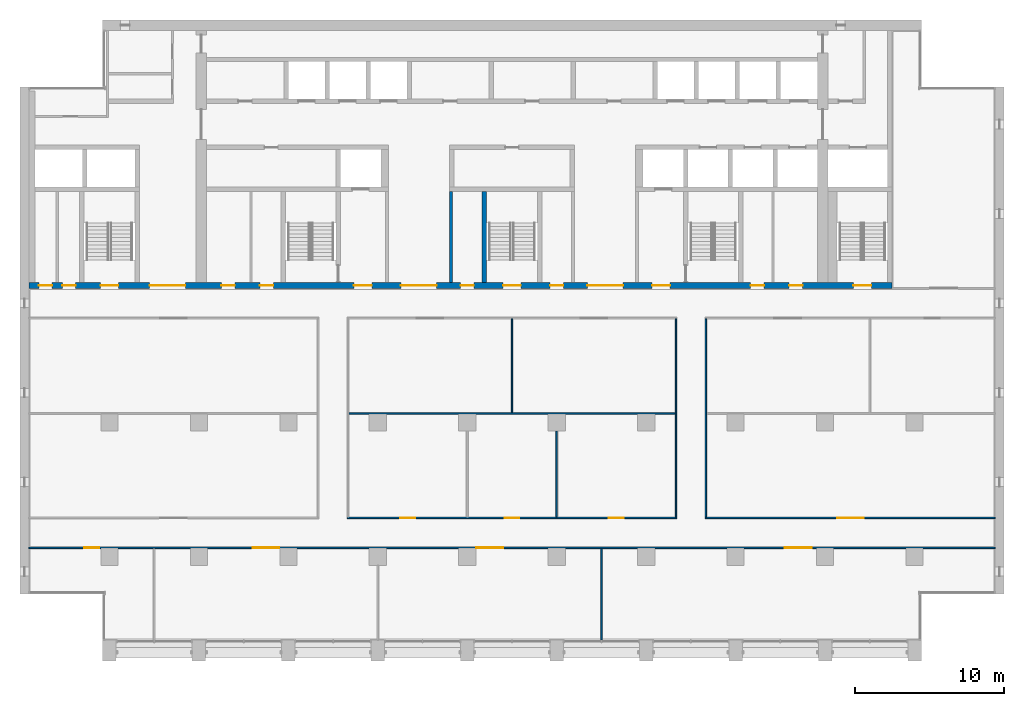
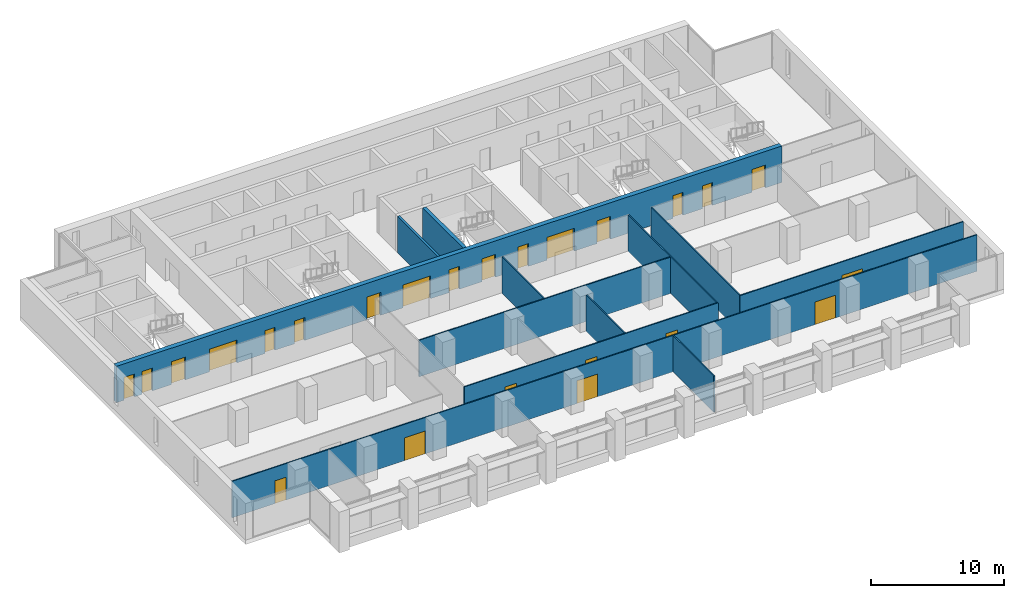
# One storey, part 9 of 17: 24 doors, 12 walls, 24 openings.
"""IFC4 building model written with IfcOpenShell, lengths in metres."""

from ifc_helpers import new_model, si_unit, direction, frame, frame_2d, origin, place, context, subcontext, project, spatial, rectangle, extrude, material, layer, layer_set, type_object, element, fill, save


model = new_model("IFC4")

# Units and contexts
model_context = context("Model", 3, precision=1e-05, world=origin(), true_north=direction((0.0, 1.0)))
body_context = subcontext(model_context, "Body", "Model", "MODEL_VIEW")
ifc_project = project(units=[si_unit("LENGTHUNIT", "METRE"), si_unit("AREAUNIT", "SQUARE_METRE"), si_unit("VOLUMEUNIT", "CUBIC_METRE"), si_unit("PLANEANGLEUNIT", "RADIAN"), si_unit("MASSUNIT", "GRAM", prefix="KILO")], contexts=[model_context])

# Site, building, storey
site_placement = place(None, origin())
site = spatial("IfcSite", under=ifc_project, at=site_placement, CompositionType="ELEMENT")
building_placement = place(site_placement, origin())
building = spatial("IfcBuilding", under=site, at=building_placement, Name="Calvaro Tower", CompositionType="ELEMENT")
storey_placement = place(building_placement, frame((0.0, 0.0, 185.5)))
storey = spatial("IfcBuildingStorey", under=building, at=storey_placement, Name="L46", CompositionType="ELEMENT", Elevation=185.5)

# Walls
ifc_material_1 = material(Name="Blockwork partition", Category="masonry")
ifc_layer_1 = layer(ifc_material_1, 0.199951171875)
ifc_layer_set_1 = layer_set([ifc_layer_1], Name="Blockwork partition")
wall_type_1 = type_object("IfcWallType", Name="Core partition 200 REI 120", PredefinedType="PARTITIONING", material=ifc_layer_set_1)
wall_1_placement = place(storey_placement, frame((34.89990234375, 28.39990234375, 0.0), z_axis=(0.0, 0.0, 1.0), x_axis=(0.0, 1.0, 0.0)))
element("IfcWall", 1, at=wall_1_placement, inside=storey, type_object=wall_type_1, Name="Core partition", PredefinedType="PARTITIONING", context=body_context, shape_type="SweptSolid", body=[
    extrude(rectangle(XDim=6.10009765625, YDim=0.199951171875, at=frame_2d((3.050048828125, 0.0))), origin(), (0.0, 0.0, 1.0), 3.35009765625),
])
ifc_material_2 = material(Name="Concrete C50/60", Category="concrete")
ifc_layer_2 = layer(ifc_material_2, 0.300048828125)
ifc_layer_set_2 = layer_set([ifc_layer_2], Name="Concrete C50/60")
wall_type_2 = type_object("IfcWallType", Name="Core wall C50/60 300", PredefinedType="SHEAR", material=ifc_layer_set_2)
wall_2_placement = place(storey_placement, frame((37.14990234375, 28.39990234375, 0.0), z_axis=(0.0, 0.0, 1.0), x_axis=(0.0, 1.0, 0.0)))
element("IfcWall", 2, at=wall_2_placement, inside=storey, type_object=wall_type_2, Name="Core wall, stair enclosure", PredefinedType="SHEAR", context=body_context, shape_type="SweptSolid", body=[
    extrude(rectangle(XDim=6.10009765625, YDim=0.300048828125, at=frame_2d((3.050048828125, 0.0))), origin(), (0.0, 0.0, 1.0), 3.35009765625),
])

# Wall, openings, doors
ifc_material_3 = material(Name="Concrete C50/60", Category="concrete")
ifc_layer_3 = layer(ifc_material_3, 0.39990234375)
ifc_layer_set_3 = layer_set([ifc_layer_3], Name="Concrete C50/60")
wall_type_3 = type_object("IfcWallType", Name="Core wall C50/60 400", PredefinedType="SHEAR", material=ifc_layer_set_3)
wall_3_placement = place(storey_placement, frame((6.60009765625, 28.199951171875, 0.0), z_axis=(0.0, 0.0, 1.0), x_axis=(1.0, 0.0, 0.0)))
wall_3 = element("IfcWall", 3, at=wall_3_placement, inside=storey, type_object=wall_type_3, Name="Core wall, front", PredefinedType="SHEAR", context=body_context, shape_type="SweptSolid", body=[
    extrude(rectangle(XDim=57.89990234375, YDim=0.39990234375, at=frame_2d((28.949951171875, 0.0))), origin(), (0.0, 0.0, 1.0), 3.35009765625),
])
opening_1_placement = place(wall_3_placement, frame((12.91259765625, 0.0, 0.0)))
opening_1 = element("IfcOpeningElement", 4, at=opening_1_placement, cuts=wall_3, Name="Opening RD9E", PredefinedType="OPENING", context=body_context, shape_type="SweptSolid", body=[
    extrude(rectangle(XDim=0.89990234375, YDim=2.10009765625, at=frame_2d((0.449951171875, 1.050048828125))), frame((0.0, 0.2099609375, 0.0), z_axis=(0.0, -1.0, 0.0), x_axis=(1.0, 0.0, 0.0)), (0.0, 0.0, 1.0), 0.419921875),
])
opening_2_placement = place(wall_3_placement, frame((15.487548828125, 0.0, 0.0)))
opening_2 = element("IfcOpeningElement", 5, at=opening_2_placement, cuts=wall_3, Name="Opening RD9E", PredefinedType="OPENING", context=body_context, shape_type="SweptSolid", body=[
    extrude(rectangle(XDim=0.89990234375, YDim=2.10009765625, at=frame_2d((0.449951171875, 1.050048828125))), frame((0.0, 0.2099609375, 0.0), z_axis=(0.0, -1.0, 0.0), x_axis=(1.0, 0.0, 0.0)), (0.0, 0.0, 1.0), 0.419921875),
])
opening_3_placement = place(wall_3_placement, frame((48.41259765625, 0.0, 0.0)))
opening_3 = element("IfcOpeningElement", 6, at=opening_3_placement, cuts=wall_3, Name="Opening RD9E", PredefinedType="OPENING", context=body_context, shape_type="SweptSolid", body=[
    extrude(rectangle(XDim=0.89990234375, YDim=2.10009765625, at=frame_2d((0.449951171875, 1.050048828125))), frame((0.0, 0.2099609375, 0.0), z_axis=(0.0, -1.0, 0.0), x_axis=(1.0, 0.0, 0.0)), (0.0, 0.0, 1.0), 0.419921875),
])
opening_4_placement = place(wall_3_placement, frame((50.987548828125, 0.0, 0.0)))
opening_4 = element("IfcOpeningElement", 7, at=opening_4_placement, cuts=wall_3, Name="Opening RD9E", PredefinedType="OPENING", context=body_context, shape_type="SweptSolid", body=[
    extrude(rectangle(XDim=0.89990234375, YDim=2.10009765625, at=frame_2d((0.449951171875, 1.050048828125))), frame((0.0, 0.2099609375, 0.0), z_axis=(0.0, -1.0, 0.0), x_axis=(1.0, 0.0, 0.0)), (0.0, 0.0, 1.0), 0.419921875),
])
opening_5_placement = place(wall_3_placement, frame((0.66259765625, 0.0, 0.0)))
opening_5 = element("IfcOpeningElement", 8, at=opening_5_placement, cuts=wall_3, Name="Opening RD9E", PredefinedType="OPENING", context=body_context, shape_type="SweptSolid", body=[
    extrude(rectangle(XDim=0.89990234375, YDim=2.10009765625, at=frame_2d((0.449951171875, 1.050048828125))), frame((0.0, 0.2099609375, 0.0), z_axis=(0.0, -1.0, 0.0), x_axis=(1.0, 0.0, 0.0)), (0.0, 0.0, 1.0), 0.419921875),
])
opening_6_placement = place(wall_3_placement, frame((2.237548828125, 0.0, 0.0)))
opening_6 = element("IfcOpeningElement", 9, at=opening_6_placement, cuts=wall_3, Name="Opening RD9C", PredefinedType="OPENING", context=body_context, shape_type="SweptSolid", body=[
    extrude(rectangle(XDim=0.89990234375, YDim=2.10009765625, at=frame_2d((0.449951171875, 1.050048828125))), frame((0.0, 0.2099609375, 0.0), z_axis=(0.0, -1.0, 0.0), x_axis=(1.0, 0.0, 0.0)), (0.0, 0.0, 1.0), 0.419921875),
])
opening_7_placement = place(wall_3_placement, frame((4.800048828125, 0.0, 0.0)))
opening_7 = element("IfcOpeningElement", 10, at=opening_7_placement, cuts=wall_3, Name="Opening SD12D", PredefinedType="OPENING", context=body_context, shape_type="SweptSolid", body=[
    extrude(rectangle(XDim=1.199951171875, YDim=2.10009765625, at=frame_2d((0.60009765625, 1.050048828125))), frame((0.0, 0.2099609375, 0.0), z_axis=(0.0, -1.0, 0.0), x_axis=(1.0, 0.0, 0.0)), (0.0, 0.0, 1.0), 0.419921875),
])
opening_8_placement = place(wall_3_placement, frame((31.800048828125, 0.0, 0.0)))
opening_8 = element("IfcOpeningElement", 11, at=opening_8_placement, cuts=wall_3, Name="Opening SD12D", PredefinedType="OPENING", context=body_context, shape_type="SweptSolid", body=[
    extrude(rectangle(XDim=1.199951171875, YDim=2.10009765625, at=frame_2d((0.60009765625, 1.050048828125))), frame((0.0, 0.2099609375, 0.0), z_axis=(0.0, -1.0, 0.0), x_axis=(1.0, 0.0, 0.0)), (0.0, 0.0, 1.0), 0.419921875),
])
opening_9_placement = place(wall_3_placement, frame((55.300048828125, 0.0, 0.0)))
opening_9 = element("IfcOpeningElement", 12, at=opening_9_placement, cuts=wall_3, Name="Opening SD12D", PredefinedType="OPENING", context=body_context, shape_type="SweptSolid", body=[
    extrude(rectangle(XDim=1.199951171875, YDim=2.10009765625, at=frame_2d((0.60009765625, 1.050048828125))), frame((0.0, 0.2099609375, 0.0), z_axis=(0.0, -1.0, 0.0), x_axis=(1.0, 0.0, 0.0)), (0.0, 0.0, 1.0), 0.419921875),
])
opening_10_placement = place(wall_3_placement, frame((21.800048828125, 0.0, 0.0)))
opening_10 = element("IfcOpeningElement", 13, at=opening_10_placement, cuts=wall_3, Name="Opening FD12F", PredefinedType="OPENING", context=body_context, shape_type="SweptSolid", body=[
    extrude(rectangle(XDim=1.199951171875, YDim=2.10009765625, at=frame_2d((0.60009765625, 1.050048828125))), frame((0.0, 0.2099609375, 0.0), z_axis=(0.0, -1.0, 0.0), x_axis=(1.0, 0.0, 0.0)), (0.0, 0.0, 1.0), 0.419921875),
])
opening_11_placement = place(wall_3_placement, frame((41.800048828125, 0.0, 0.0)))
opening_11 = element("IfcOpeningElement", 14, at=opening_11_placement, cuts=wall_3, Name="Opening FD12F", PredefinedType="OPENING", context=body_context, shape_type="SweptSolid", body=[
    extrude(rectangle(XDim=1.199951171875, YDim=2.10009765625, at=frame_2d((0.60009765625, 1.050048828125))), frame((0.0, 0.2099609375, 0.0), z_axis=(0.0, -1.0, 0.0), x_axis=(1.0, 0.0, 0.0)), (0.0, 0.0, 1.0), 0.419921875),
])
opening_12_placement = place(wall_3_placement, frame((24.949951171875, 0.0, 0.0)))
opening_12 = element("IfcOpeningElement", 15, at=opening_12_placement, cuts=wall_3, Name="Opening DD24D", PredefinedType="OPENING", context=body_context, shape_type="SweptSolid", body=[
    extrude(rectangle(XDim=2.39990234375, YDim=2.10009765625, at=frame_2d((1.199951171875, 1.050048828125))), frame((0.0, 0.2099609375, 0.0), z_axis=(0.0, -1.0, 0.0), x_axis=(1.0, 0.0, 0.0)), (0.0, 0.0, 1.0), 0.419921875),
])
opening_13_placement = place(wall_3_placement, frame((37.449951171875, 0.0, 0.0)))
opening_13 = element("IfcOpeningElement", 16, at=opening_13_placement, cuts=wall_3, Name="Opening DD24D", PredefinedType="OPENING", context=body_context, shape_type="SweptSolid", body=[
    extrude(rectangle(XDim=2.39990234375, YDim=2.10009765625, at=frame_2d((1.199951171875, 1.050048828125))), frame((0.0, 0.2099609375, 0.0), z_axis=(0.0, -1.0, 0.0), x_axis=(1.0, 0.0, 0.0)), (0.0, 0.0, 1.0), 0.419921875),
])
opening_14_placement = place(wall_3_placement, frame((8.10009765625, 0.0, 0.0)))
opening_14 = element("IfcOpeningElement", 17, at=opening_14_placement, cuts=wall_3, Name="Opening DD24D", PredefinedType="OPENING", context=body_context, shape_type="SweptSolid", body=[
    extrude(rectangle(XDim=2.39990234375, YDim=2.10009765625, at=frame_2d((1.199951171875, 1.050048828125))), frame((0.0, 0.2099609375, 0.0), z_axis=(0.0, -1.0, 0.0), x_axis=(1.0, 0.0, 0.0)), (0.0, 0.0, 1.0), 0.419921875),
])
opening_15_placement = place(wall_3_placement, frame((28.949951171875, 0.0, 0.0)))
opening_15 = element("IfcOpeningElement", 18, at=opening_15_placement, cuts=wall_3, Name="Opening RD9E", PredefinedType="OPENING", context=body_context, shape_type="SweptSolid", body=[
    extrude(rectangle(XDim=0.89990234375, YDim=2.10009765625, at=frame_2d((0.449951171875, 1.050048828125))), frame((0.0, 0.2099609375, 0.0), z_axis=(0.0, -1.0, 0.0), x_axis=(1.0, 0.0, 0.0)), (0.0, 0.0, 1.0), 0.419921875),
])
opening_16_placement = place(wall_3_placement, frame((34.949951171875, 0.0, 0.0)))
opening_16 = element("IfcOpeningElement", 19, at=opening_16_placement, cuts=wall_3, Name="Opening RD9E", PredefinedType="OPENING", context=body_context, shape_type="SweptSolid", body=[
    extrude(rectangle(XDim=0.89990234375, YDim=2.10009765625, at=frame_2d((0.449951171875, 1.050048828125))), frame((0.0, 0.2099609375, 0.0), z_axis=(0.0, -1.0, 0.0), x_axis=(1.0, 0.0, 0.0)), (0.0, 0.0, 1.0), 0.419921875),
])
ifc_material_4 = material(Name="Steel door set", Category="steel")
door_type_1 = type_object("IfcDoorType", Name="Fire door 1200 FD60S", OperationType="SINGLE_SWING_LEFT", PredefinedType="DOOR", material=ifc_material_4)
door_1_placement = place(opening_10_placement, origin())
door_1 = element("IfcDoor", 20, at=door_1_placement, inside=storey, type_object=door_type_1, Name="Fire door", OperationType="SINGLE_SWING_LEFT", OverallHeight=2.10009765625, OverallWidth=1.199951171875, PredefinedType="DOOR", context=body_context, shape_type="SweptSolid", body=[
    extrude(rectangle(XDim=1.199951171875, YDim=2.10009765625, at=frame_2d((0.60009765625, 1.050048828125))), frame((0.0, 0.02490234375, 0.0), z_axis=(0.0, -1.0, 0.0), x_axis=(1.0, 0.0, 0.0)), (0.0, 0.0, 1.0), 0.050048828125),
])
fill(opening_10, door_1)
door_2_placement = place(opening_11_placement, origin())
door_2 = element("IfcDoor", 21, at=door_2_placement, inside=storey, type_object=door_type_1, Name="Fire door", OperationType="SINGLE_SWING_LEFT", OverallHeight=2.10009765625, OverallWidth=1.199951171875, PredefinedType="DOOR", context=body_context, shape_type="SweptSolid", body=[
    extrude(rectangle(XDim=1.199951171875, YDim=2.10009765625, at=frame_2d((0.60009765625, 1.050048828125))), frame((0.0, 0.02490234375, 0.0), z_axis=(0.0, -1.0, 0.0), x_axis=(1.0, 0.0, 0.0)), (0.0, 0.0, 1.0), 0.050048828125),
])
fill(opening_11, door_2)
ifc_material_5 = material(Name="Steel door set", Category="steel")
door_type_2 = type_object("IfcDoorType", Name="Lobby double door 2400 FD30S", OperationType="DOUBLE_DOOR_SINGLE_SWING", PredefinedType="DOOR", material=ifc_material_5)
door_3_placement = place(opening_12_placement, origin())
door_3 = element("IfcDoor", 22, at=door_3_placement, inside=storey, type_object=door_type_2, Name="Lobby double door", OperationType="DOUBLE_DOOR_SINGLE_SWING", OverallHeight=2.10009765625, OverallWidth=2.39990234375, PredefinedType="DOOR", context=body_context, shape_type="SweptSolid", body=[
    extrude(rectangle(XDim=2.39990234375, YDim=2.10009765625, at=frame_2d((1.199951171875, 1.050048828125))), frame((0.0, 0.02490234375, 0.0), z_axis=(0.0, -1.0, 0.0), x_axis=(1.0, 0.0, 0.0)), (0.0, 0.0, 1.0), 0.050048828125),
])
fill(opening_12, door_3)
door_4_placement = place(opening_13_placement, origin())
door_4 = element("IfcDoor", 23, at=door_4_placement, inside=storey, type_object=door_type_2, Name="Lobby double door", OperationType="DOUBLE_DOOR_SINGLE_SWING", OverallHeight=2.10009765625, OverallWidth=2.39990234375, PredefinedType="DOOR", context=body_context, shape_type="SweptSolid", body=[
    extrude(rectangle(XDim=2.39990234375, YDim=2.10009765625, at=frame_2d((1.199951171875, 1.050048828125))), frame((0.0, 0.02490234375, 0.0), z_axis=(0.0, -1.0, 0.0), x_axis=(1.0, 0.0, 0.0)), (0.0, 0.0, 1.0), 0.050048828125),
])
fill(opening_13, door_4)
door_5_placement = place(opening_14_placement, origin())
door_5 = element("IfcDoor", 24, at=door_5_placement, inside=storey, type_object=door_type_2, Name="Lobby double door", OperationType="DOUBLE_DOOR_SINGLE_SWING", OverallHeight=2.10009765625, OverallWidth=2.39990234375, PredefinedType="DOOR", context=body_context, shape_type="SweptSolid", body=[
    extrude(rectangle(XDim=2.39990234375, YDim=2.10009765625, at=frame_2d((1.199951171875, 1.050048828125))), frame((0.0, 0.02490234375, 0.0), z_axis=(0.0, -1.0, 0.0), x_axis=(1.0, 0.0, 0.0)), (0.0, 0.0, 1.0), 0.050048828125),
])
fill(opening_14, door_5)
ifc_material_6 = material(Name="Steel door set", Category="steel")
door_type_3 = type_object("IfcDoorType", Name="Room door 900 FD30", OperationType="SINGLE_SWING_LEFT", PredefinedType="DOOR", material=ifc_material_6)
door_6_placement = place(opening_6_placement, origin())
door_6 = element("IfcDoor", 25, at=door_6_placement, inside=storey, type_object=door_type_3, Name="Room door", OperationType="SINGLE_SWING_LEFT", OverallHeight=2.10009765625, OverallWidth=0.89990234375, PredefinedType="DOOR", context=body_context, shape_type="SweptSolid", body=[
    extrude(rectangle(XDim=0.89990234375, YDim=2.10009765625, at=frame_2d((0.449951171875, 1.050048828125))), frame((0.0, 0.02490234375, 0.0), z_axis=(0.0, -1.0, 0.0), x_axis=(1.0, 0.0, 0.0)), (0.0, 0.0, 1.0), 0.050048828125),
])
fill(opening_6, door_6)
ifc_material_7 = material(Name="Steel door set", Category="steel")
door_type_4 = type_object("IfcDoorType", Name="Room door 900 FD60", OperationType="SINGLE_SWING_LEFT", PredefinedType="DOOR", material=ifc_material_7)
door_7_placement = place(opening_1_placement, origin())
door_7 = element("IfcDoor", 26, at=door_7_placement, inside=storey, type_object=door_type_4, Name="Room door", OperationType="SINGLE_SWING_LEFT", OverallHeight=2.10009765625, OverallWidth=0.89990234375, PredefinedType="DOOR", context=body_context, shape_type="SweptSolid", body=[
    extrude(rectangle(XDim=0.89990234375, YDim=2.10009765625, at=frame_2d((0.449951171875, 1.050048828125))), frame((0.0, 0.02490234375, 0.0), z_axis=(0.0, -1.0, 0.0), x_axis=(1.0, 0.0, 0.0)), (0.0, 0.0, 1.0), 0.050048828125),
])
fill(opening_1, door_7)
door_8_placement = place(opening_2_placement, origin())
door_8 = element("IfcDoor", 27, at=door_8_placement, inside=storey, type_object=door_type_4, Name="Room door", OperationType="SINGLE_SWING_RIGHT", OverallHeight=2.10009765625, OverallWidth=0.89990234375, PredefinedType="DOOR", context=body_context, shape_type="SweptSolid", body=[
    extrude(rectangle(XDim=0.89990234375, YDim=2.10009765625, at=frame_2d((0.449951171875, 1.050048828125))), frame((0.0, 0.02490234375, 0.0), z_axis=(0.0, -1.0, 0.0), x_axis=(1.0, 0.0, 0.0)), (0.0, 0.0, 1.0), 0.050048828125),
])
fill(opening_2, door_8)
door_9_placement = place(opening_3_placement, origin())
door_9 = element("IfcDoor", 28, at=door_9_placement, inside=storey, type_object=door_type_4, Name="Room door", OperationType="SINGLE_SWING_LEFT", OverallHeight=2.10009765625, OverallWidth=0.89990234375, PredefinedType="DOOR", context=body_context, shape_type="SweptSolid", body=[
    extrude(rectangle(XDim=0.89990234375, YDim=2.10009765625, at=frame_2d((0.449951171875, 1.050048828125))), frame((0.0, 0.02490234375, 0.0), z_axis=(0.0, -1.0, 0.0), x_axis=(1.0, 0.0, 0.0)), (0.0, 0.0, 1.0), 0.050048828125),
])
fill(opening_3, door_9)
door_10_placement = place(opening_4_placement, origin())
door_10 = element("IfcDoor", 29, at=door_10_placement, inside=storey, type_object=door_type_4, Name="Room door", OperationType="SINGLE_SWING_LEFT", OverallHeight=2.10009765625, OverallWidth=0.89990234375, PredefinedType="DOOR", context=body_context, shape_type="SweptSolid", body=[
    extrude(rectangle(XDim=0.89990234375, YDim=2.10009765625, at=frame_2d((0.449951171875, 1.050048828125))), frame((0.0, 0.02490234375, 0.0), z_axis=(0.0, -1.0, 0.0), x_axis=(1.0, 0.0, 0.0)), (0.0, 0.0, 1.0), 0.050048828125),
])
fill(opening_4, door_10)
door_11_placement = place(opening_5_placement, origin())
door_11 = element("IfcDoor", 30, at=door_11_placement, inside=storey, type_object=door_type_4, Name="Room door", OperationType="SINGLE_SWING_LEFT", OverallHeight=2.10009765625, OverallWidth=0.89990234375, PredefinedType="DOOR", context=body_context, shape_type="SweptSolid", body=[
    extrude(rectangle(XDim=0.89990234375, YDim=2.10009765625, at=frame_2d((0.449951171875, 1.050048828125))), frame((0.0, 0.02490234375, 0.0), z_axis=(0.0, -1.0, 0.0), x_axis=(1.0, 0.0, 0.0)), (0.0, 0.0, 1.0), 0.050048828125),
])
fill(opening_5, door_11)
door_12_placement = place(opening_15_placement, origin())
door_12 = element("IfcDoor", 31, at=door_12_placement, inside=storey, type_object=door_type_4, Name="Room door", OperationType="SINGLE_SWING_LEFT", OverallHeight=2.10009765625, OverallWidth=0.89990234375, PredefinedType="DOOR", context=body_context, shape_type="SweptSolid", body=[
    extrude(rectangle(XDim=0.89990234375, YDim=2.10009765625, at=frame_2d((0.449951171875, 1.050048828125))), frame((0.0, 0.02490234375, 0.0), z_axis=(0.0, -1.0, 0.0), x_axis=(1.0, 0.0, 0.0)), (0.0, 0.0, 1.0), 0.050048828125),
])
fill(opening_15, door_12)
door_13_placement = place(opening_16_placement, origin())
door_13 = element("IfcDoor", 32, at=door_13_placement, inside=storey, type_object=door_type_4, Name="Room door", OperationType="SINGLE_SWING_LEFT", OverallHeight=2.10009765625, OverallWidth=0.89990234375, PredefinedType="DOOR", context=body_context, shape_type="SweptSolid", body=[
    extrude(rectangle(XDim=0.89990234375, YDim=2.10009765625, at=frame_2d((0.449951171875, 1.050048828125))), frame((0.0, 0.02490234375, 0.0), z_axis=(0.0, -1.0, 0.0), x_axis=(1.0, 0.0, 0.0)), (0.0, 0.0, 1.0), 0.050048828125),
])
fill(opening_16, door_13)
ifc_material_8 = material(Name="Steel door set", Category="steel")
door_type_5 = type_object("IfcDoorType", Name="Stair door 1200 FD30S", OperationType="SINGLE_SWING_LEFT", PredefinedType="DOOR", material=ifc_material_8)
door_14_placement = place(opening_7_placement, origin())
door_14 = element("IfcDoor", 33, at=door_14_placement, inside=storey, type_object=door_type_5, Name="Stair door", OperationType="SINGLE_SWING_LEFT", OverallHeight=2.10009765625, OverallWidth=1.199951171875, PredefinedType="DOOR", context=body_context, shape_type="SweptSolid", body=[
    extrude(rectangle(XDim=1.199951171875, YDim=2.10009765625, at=frame_2d((0.60009765625, 1.050048828125))), frame((0.0, 0.02490234375, 0.0), z_axis=(0.0, -1.0, 0.0), x_axis=(1.0, 0.0, 0.0)), (0.0, 0.0, 1.0), 0.050048828125),
])
fill(opening_7, door_14)
door_15_placement = place(opening_8_placement, origin())
door_15 = element("IfcDoor", 34, at=door_15_placement, inside=storey, type_object=door_type_5, Name="Stair door", OperationType="SINGLE_SWING_LEFT", OverallHeight=2.10009765625, OverallWidth=1.199951171875, PredefinedType="DOOR", context=body_context, shape_type="SweptSolid", body=[
    extrude(rectangle(XDim=1.199951171875, YDim=2.10009765625, at=frame_2d((0.60009765625, 1.050048828125))), frame((0.0, 0.02490234375, 0.0), z_axis=(0.0, -1.0, 0.0), x_axis=(1.0, 0.0, 0.0)), (0.0, 0.0, 1.0), 0.050048828125),
])
fill(opening_8, door_15)
door_16_placement = place(opening_9_placement, origin())
door_16 = element("IfcDoor", 35, at=door_16_placement, inside=storey, type_object=door_type_5, Name="Stair door", OperationType="SINGLE_SWING_LEFT", OverallHeight=2.10009765625, OverallWidth=1.199951171875, PredefinedType="DOOR", context=body_context, shape_type="SweptSolid", body=[
    extrude(rectangle(XDim=1.199951171875, YDim=2.10009765625, at=frame_2d((0.60009765625, 1.050048828125))), frame((0.0, 0.02490234375, 0.0), z_axis=(0.0, -1.0, 0.0), x_axis=(1.0, 0.0, 0.0)), (0.0, 0.0, 1.0), 0.050048828125),
])
fill(opening_9, door_16)

ifc_material_9 = material(Name="Plasterboard on steel studs", Category="steel")
ifc_layer_4 = layer(ifc_material_9, 0.10009765625)
ifc_layer_set_4 = layer_set([ifc_layer_4], Name="Plasterboard on steel studs")
wall_type_4 = type_object("IfcWallType", Name="Partition 100", PredefinedType="PARTITIONING", material=ifc_layer_set_4)
wall_4_placement = place(storey_placement, frame((6.60009765625, 10.60009765625, 0.0), z_axis=(0.0, 0.0, 1.0), x_axis=(1.0, 0.0, 0.0)))
wall_4 = element("IfcWall", 36, at=wall_4_placement, inside=storey, type_object=wall_type_4, Name="Partition T27.W001", PredefinedType="PARTITIONING", context=body_context, shape_type="SweptSolid", body=[
    extrude(rectangle(XDim=64.7998046875, YDim=0.10009765625, at=frame_2d((32.39990234375, 0.0))), origin(), (0.0, 0.0, 1.0), 3.35009765625),
])
opening_17_placement = place(wall_4_placement, frame((15.0, 0.0, 0.0)))
opening_17 = element("IfcOpeningElement", 37, at=opening_17_placement, cuts=wall_4, Name="Opening T27.001", PredefinedType="OPENING", context=body_context, shape_type="SweptSolid", body=[
    extrude(rectangle(XDim=1.800048828125, YDim=2.10009765625, at=frame_2d((0.89990234375, 1.050048828125))), frame((0.0, 0.06005859375, 0.0), z_axis=(0.0, -1.0, 0.0), x_axis=(1.0, 0.0, 0.0)), (0.0, 0.0, 1.0), 0.1201171875),
])
opening_18_placement = place(wall_4_placement, frame((30.0, 0.0, 0.0)))
opening_18 = element("IfcOpeningElement", 38, at=opening_18_placement, cuts=wall_4, Name="Opening T27.002", PredefinedType="OPENING", context=body_context, shape_type="SweptSolid", body=[
    extrude(rectangle(XDim=1.800048828125, YDim=2.10009765625, at=frame_2d((0.89990234375, 1.050048828125))), frame((0.0, 0.06005859375, 0.0), z_axis=(0.0, -1.0, 0.0), x_axis=(1.0, 0.0, 0.0)), (0.0, 0.0, 1.0), 0.1201171875),
])
opening_19_placement = place(wall_4_placement, frame((50.699951171875, 0.0, 0.0)))
opening_19 = element("IfcOpeningElement", 39, at=opening_19_placement, cuts=wall_4, Name="Opening T27.003", PredefinedType="OPENING", context=body_context, shape_type="SweptSolid", body=[
    extrude(rectangle(XDim=1.800048828125, YDim=2.10009765625, at=frame_2d((0.89990234375, 1.050048828125))), frame((0.0, 0.06005859375, 0.0), z_axis=(0.0, -1.0, 0.0), x_axis=(1.0, 0.0, 0.0)), (0.0, 0.0, 1.0), 0.1201171875),
])
opening_20_placement = place(wall_4_placement, frame((3.699951171875, 0.0, 0.0)))
opening_20 = element("IfcOpeningElement", 40, at=opening_20_placement, cuts=wall_4, Name="Opening T27.004", PredefinedType="OPENING", context=body_context, shape_type="SweptSolid", body=[
    extrude(rectangle(XDim=1.0, YDim=2.10009765625, at=frame_2d((0.5, 1.050048828125))), frame((0.0, 0.06005859375, 0.0), z_axis=(0.0, -1.0, 0.0), x_axis=(1.0, 0.0, 0.0)), (0.0, 0.0, 1.0), 0.1201171875),
])
ifc_material_10 = material(Name="Timber", Category="wood")
door_type_6 = type_object("IfcDoorType", Name="Internal double door 1800 x 2100", OperationType="DOUBLE_DOOR_SINGLE_SWING", PredefinedType="DOOR", material=ifc_material_10)
door_17_placement = place(opening_17_placement, origin())
door_17 = element("IfcDoor", 41, at=door_17_placement, inside=storey, type_object=door_type_6, Name="Door T27.001", OperationType="DOUBLE_DOOR_SINGLE_SWING", OverallHeight=2.10009765625, OverallWidth=1.800048828125, PredefinedType="DOOR", context=body_context, shape_type="SweptSolid", body=[
    extrude(rectangle(XDim=1.800048828125, YDim=2.10009765625, at=frame_2d((0.89990234375, 1.050048828125))), frame((0.0, 0.02490234375, 0.0), z_axis=(0.0, -1.0, 0.0), x_axis=(1.0, 0.0, 0.0)), (0.0, 0.0, 1.0), 0.050048828125),
])
fill(opening_17, door_17)
door_18_placement = place(opening_18_placement, origin())
door_18 = element("IfcDoor", 42, at=door_18_placement, inside=storey, type_object=door_type_6, Name="Door T27.002", OperationType="DOUBLE_DOOR_SINGLE_SWING", OverallHeight=2.10009765625, OverallWidth=1.800048828125, PredefinedType="DOOR", context=body_context, shape_type="SweptSolid", body=[
    extrude(rectangle(XDim=1.800048828125, YDim=2.10009765625, at=frame_2d((0.89990234375, 1.050048828125))), frame((0.0, 0.02490234375, 0.0), z_axis=(0.0, -1.0, 0.0), x_axis=(1.0, 0.0, 0.0)), (0.0, 0.0, 1.0), 0.050048828125),
])
fill(opening_18, door_18)
door_19_placement = place(opening_19_placement, origin())
door_19 = element("IfcDoor", 43, at=door_19_placement, inside=storey, type_object=door_type_6, Name="Door T27.003", OperationType="DOUBLE_DOOR_SINGLE_SWING", OverallHeight=2.10009765625, OverallWidth=1.800048828125, PredefinedType="DOOR", context=body_context, shape_type="SweptSolid", body=[
    extrude(rectangle(XDim=1.800048828125, YDim=2.10009765625, at=frame_2d((0.89990234375, 1.050048828125))), frame((0.0, 0.02490234375, 0.0), z_axis=(0.0, -1.0, 0.0), x_axis=(1.0, 0.0, 0.0)), (0.0, 0.0, 1.0), 0.050048828125),
])
fill(opening_19, door_19)
ifc_material_11 = material(Name="Timber", Category="wood")
door_type_7 = type_object("IfcDoorType", Name="Internal single door 1000 x 2100", OperationType="SINGLE_SWING_LEFT", PredefinedType="DOOR", material=ifc_material_11)
door_20_placement = place(opening_20_placement, origin())
door_20 = element("IfcDoor", 44, at=door_20_placement, inside=storey, type_object=door_type_7, Name="Door T27.004", OperationType="SINGLE_SWING_LEFT", OverallHeight=2.10009765625, OverallWidth=1.0, PredefinedType="DOOR", context=body_context, shape_type="SweptSolid", body=[
    extrude(rectangle(XDim=1.0, YDim=2.10009765625, at=frame_2d((0.5, 1.050048828125))), frame((0.0, 0.02490234375, 0.0), z_axis=(0.0, -1.0, 0.0), x_axis=(1.0, 0.0, 0.0)), (0.0, 0.0, 1.0), 0.050048828125),
])
fill(opening_20, door_20)

wall_5_placement = place(storey_placement, frame((27.949951171875, 12.60009765625, 0.0), z_axis=(0.0, 0.0, 1.0), x_axis=(1.0, 0.0, 0.0)))
wall_5 = element("IfcWall", 45, at=wall_5_placement, inside=storey, type_object=wall_type_4, Name="Partition T27.W003", PredefinedType="PARTITIONING", context=body_context, shape_type="SweptSolid", body=[
    extrude(rectangle(XDim=22.10009765625, YDim=0.10009765625, at=frame_2d((11.050048828125, 0.0))), origin(), (0.0, 0.0, 1.0), 3.35009765625),
])
opening_21_placement = place(wall_5_placement, frame((3.550048828125, 0.0, 0.0)))
opening_21 = element("IfcOpeningElement", 46, at=opening_21_placement, cuts=wall_5, Name="Opening T27.006", PredefinedType="OPENING", context=body_context, shape_type="SweptSolid", body=[
    extrude(rectangle(XDim=1.0, YDim=2.10009765625, at=frame_2d((0.5, 1.050048828125))), frame((0.0, 0.06005859375, 0.0), z_axis=(0.0, -1.0, 0.0), x_axis=(1.0, 0.0, 0.0)), (0.0, 0.0, 1.0), 0.1201171875),
])
opening_22_placement = place(wall_5_placement, frame((10.550048828125, 0.0, 0.0)))
opening_22 = element("IfcOpeningElement", 47, at=opening_22_placement, cuts=wall_5, Name="Opening T27.007", PredefinedType="OPENING", context=body_context, shape_type="SweptSolid", body=[
    extrude(rectangle(XDim=1.0, YDim=2.10009765625, at=frame_2d((0.5, 1.050048828125))), frame((0.0, 0.06005859375, 0.0), z_axis=(0.0, -1.0, 0.0), x_axis=(1.0, 0.0, 0.0)), (0.0, 0.0, 1.0), 0.1201171875),
])
opening_23_placement = place(wall_5_placement, frame((17.550048828125, 0.0, 0.0)))
opening_23 = element("IfcOpeningElement", 48, at=opening_23_placement, cuts=wall_5, Name="Opening T27.008", PredefinedType="OPENING", context=body_context, shape_type="SweptSolid", body=[
    extrude(rectangle(XDim=1.0, YDim=2.10009765625, at=frame_2d((0.5, 1.050048828125))), frame((0.0, 0.06005859375, 0.0), z_axis=(0.0, -1.0, 0.0), x_axis=(1.0, 0.0, 0.0)), (0.0, 0.0, 1.0), 0.1201171875),
])
door_21_placement = place(opening_21_placement, origin())
door_21 = element("IfcDoor", 49, at=door_21_placement, inside=storey, type_object=door_type_7, Name="Door T27.006", OperationType="SINGLE_SWING_LEFT", OverallHeight=2.10009765625, OverallWidth=1.0, PredefinedType="DOOR", context=body_context, shape_type="SweptSolid", body=[
    extrude(rectangle(XDim=1.0, YDim=2.10009765625, at=frame_2d((0.5, 1.050048828125))), frame((0.0, 0.02490234375, 0.0), z_axis=(0.0, -1.0, 0.0), x_axis=(1.0, 0.0, 0.0)), (0.0, 0.0, 1.0), 0.050048828125),
])
fill(opening_21, door_21)
door_22_placement = place(opening_22_placement, origin())
door_22 = element("IfcDoor", 50, at=door_22_placement, inside=storey, type_object=door_type_7, Name="Door T27.007", OperationType="SINGLE_SWING_RIGHT", OverallHeight=2.10009765625, OverallWidth=1.0, PredefinedType="DOOR", context=body_context, shape_type="SweptSolid", body=[
    extrude(rectangle(XDim=1.0, YDim=2.10009765625, at=frame_2d((0.5, 1.050048828125))), frame((0.0, 0.02490234375, 0.0), z_axis=(0.0, -1.0, 0.0), x_axis=(1.0, 0.0, 0.0)), (0.0, 0.0, 1.0), 0.050048828125),
])
fill(opening_22, door_22)
door_23_placement = place(opening_23_placement, origin())
door_23 = element("IfcDoor", 51, at=door_23_placement, inside=storey, type_object=door_type_7, Name="Door T27.008", OperationType="SINGLE_SWING_RIGHT", OverallHeight=2.10009765625, OverallWidth=1.0, PredefinedType="DOOR", context=body_context, shape_type="SweptSolid", body=[
    extrude(rectangle(XDim=1.0, YDim=2.10009765625, at=frame_2d((0.5, 1.050048828125))), frame((0.0, 0.02490234375, 0.0), z_axis=(0.0, -1.0, 0.0), x_axis=(1.0, 0.0, 0.0)), (0.0, 0.0, 1.0), 0.050048828125),
])
fill(opening_23, door_23)

# Wall, opening, door
wall_6_placement = place(storey_placement, frame((51.949951171875, 12.60009765625, 0.0), z_axis=(0.0, 0.0, 1.0), x_axis=(1.0, 0.0, 0.0)))
wall_6 = element("IfcWall", 52, at=wall_6_placement, inside=storey, type_object=wall_type_4, Name="Partition T27.W004", PredefinedType="PARTITIONING", context=body_context, shape_type="SweptSolid", body=[
    extrude(rectangle(XDim=19.449951171875, YDim=0.10009765625, at=frame_2d((9.72509765625, 0.0))), origin(), (0.0, 0.0, 1.0), 3.35009765625),
])
opening_24_placement = place(wall_6_placement, frame((8.85009765625, 0.0, 0.0)))
opening_24 = element("IfcOpeningElement", 53, at=opening_24_placement, cuts=wall_6, Name="Opening T27.009", PredefinedType="OPENING", context=body_context, shape_type="SweptSolid", body=[
    extrude(rectangle(XDim=1.800048828125, YDim=2.10009765625, at=frame_2d((0.89990234375, 1.050048828125))), frame((0.0, 0.06005859375, 0.0), z_axis=(0.0, -1.0, 0.0), x_axis=(1.0, 0.0, 0.0)), (0.0, 0.0, 1.0), 0.1201171875),
])
door_24_placement = place(opening_24_placement, origin())
door_24 = element("IfcDoor", 54, at=door_24_placement, inside=storey, type_object=door_type_6, Name="Door T27.009", OperationType="DOUBLE_DOOR_SINGLE_SWING", OverallHeight=2.10009765625, OverallWidth=1.800048828125, PredefinedType="DOOR", context=body_context, shape_type="SweptSolid", body=[
    extrude(rectangle(XDim=1.800048828125, YDim=2.10009765625, at=frame_2d((0.89990234375, 1.050048828125))), frame((0.0, 0.02490234375, 0.0), z_axis=(0.0, -1.0, 0.0), x_axis=(1.0, 0.0, 0.0)), (0.0, 0.0, 1.0), 0.050048828125),
])
fill(opening_24, door_24)

# Walls
wall_7_placement = place(storey_placement, frame((28.050048828125, 19.60009765625, 0.0), z_axis=(0.0, 0.0, 1.0), x_axis=(1.0, 0.0, 0.0)))
element("IfcWall", 55, at=wall_7_placement, inside=storey, type_object=wall_type_4, Name="Partition T27.W006", PredefinedType="PARTITIONING", context=body_context, shape_type="SweptSolid", body=[
    extrude(rectangle(XDim=21.89990234375, YDim=0.10009765625, at=frame_2d((10.949951171875, 0.0))), origin(), (0.0, 0.0, 1.0), 3.35009765625),
])
wall_8_placement = place(storey_placement, frame((39.0, 19.64990234375, 0.0), z_axis=(0.0, 0.0, 1.0), x_axis=(0.0, 1.0, 0.0)))
element("IfcWall", 56, at=wall_8_placement, inside=storey, type_object=wall_type_4, Name="Partition T27.W017", PredefinedType="PARTITIONING", context=body_context, shape_type="SweptSolid", body=[
    extrude(rectangle(XDim=6.300048828125, YDim=0.10009765625, at=frame_2d((3.14990234375, 0.0))), origin(), (0.0, 0.0, 1.0), 3.35009765625),
])
wall_9_placement = place(storey_placement, frame((42.0, 12.64990234375, 0.0), z_axis=(0.0, 0.0, 1.0), x_axis=(0.0, 1.0, 0.0)))
element("IfcWall", 57, at=wall_9_placement, inside=storey, type_object=wall_type_4, Name="Partition T27.W018", PredefinedType="PARTITIONING", context=body_context, shape_type="SweptSolid", body=[
    extrude(rectangle(XDim=5.775146484375, YDim=0.10009765625, at=frame_2d((2.8876953125, 0.0))), origin(), (0.0, 0.0, 1.0), 3.35009765625),
])
wall_10_placement = place(storey_placement, frame((45.0, 4.39990234375, 0.0), z_axis=(0.0, 0.0, 1.0), x_axis=(0.0, 1.0, 0.0)))
element("IfcWall", 58, at=wall_10_placement, inside=storey, type_object=wall_type_4, Name="Partition T27.W019", PredefinedType="PARTITIONING", context=body_context, shape_type="SweptSolid", body=[
    extrude(rectangle(XDim=6.150146484375, YDim=0.10009765625, at=frame_2d((3.0751953125, 0.0))), origin(), (0.0, 0.0, 1.0), 3.35009765625),
])
for number, where, z_axis, x_axis, name in (
    (59, (50.0, 12.64990234375, 0.0), (0.0, 0.0, 1.0), (0.0, 1.0, 0.0), "Partition T27.W020"),
    (60, (52.0, 12.64990234375, 0.0), (0.0, 0.0, 1.0), (0.0, 1.0, 0.0), "Partition T27.W021"),
):
    element("IfcWall", number, at=place(storey_placement, frame(where, z_axis=z_axis, x_axis=x_axis)), inside=storey, type_object=wall_type_4, Name=name, PredefinedType="PARTITIONING", context=body_context, shape_type="SweptSolid", body=[
        extrude(rectangle(XDim=13.300048828125, YDim=0.10009765625, at=frame_2d((6.64990234375, 0.0))), origin(), (0.0, 0.0, 1.0), 3.35009765625),
    ])

save(model, "model.ifc")
